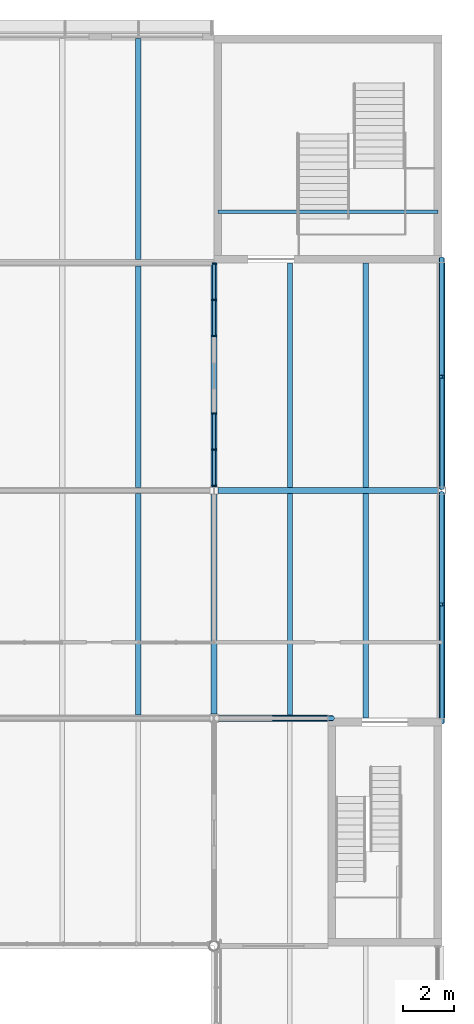
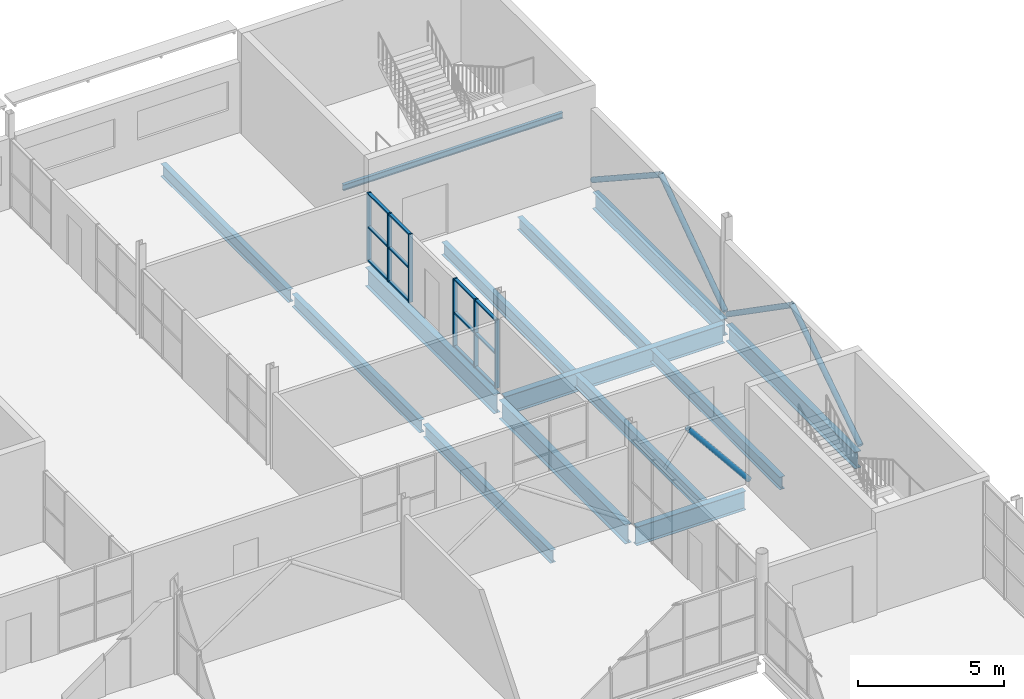
# One storey, part 24 of 57: 23 members, 14 beams, 2 elements without a shape of their own.
"""IFC4 building model written with IfcOpenShell, lengths in metres."""

from ifc_helpers import new_model, si_unit, direction, frame, origin, origin_2d, place, context, subcontext, project, spatial, rectangle, hollow_circle, i_section, extrude, material, layer, layer_set, material_profile, profile_set, type_object, element, aggregate, save


model = new_model("IFC4")

# Units and contexts
model_context = context("Model", 3, precision=1e-05, world=origin(), true_north=direction((0.0, 1.0)))
body_context = subcontext(model_context, "Body", "Model", "MODEL_VIEW")
ifc_project = project(units=[si_unit("LENGTHUNIT", "METRE"), si_unit("AREAUNIT", "SQUARE_METRE"), si_unit("VOLUMEUNIT", "CUBIC_METRE"), si_unit("PLANEANGLEUNIT", "RADIAN"), si_unit("MASSUNIT", "GRAM", prefix="KILO")], contexts=[model_context])

# Site, building, storey
site_placement = place(None, origin())
site = spatial("IfcSite", under=ifc_project, at=site_placement, CompositionType="ELEMENT")
building_placement = place(site_placement, origin())
building = spatial("IfcBuilding", under=site, at=building_placement, Name="Halyard Row Museum", CompositionType="ELEMENT")
storey_placement = place(building_placement, frame((0.0, 0.0, 5.0)))
storey = spatial("IfcBuildingStorey", under=building, at=storey_placement, Name="L01", CompositionType="ELEMENT", Elevation=5.0)

# Members
ifc_material_1 = material(Name="Steel Grade C350L0", Category="steel")
ifc_material_profile_1 = material_profile(ifc_material_1, hollow_circle(Radius=0.109619140625, WallThickness=0.00830078125, at=origin_2d()), Name="219.1x8.2CHS")
ifc_profile_set_1 = profile_set([ifc_material_profile_1], Name="Steel Grade C350L0")
member_type_1 = type_object("IfcMemberType", Name="Brace 219.1x8.2CHS", PredefinedType="BRACE", material=ifc_profile_set_1)
member_1_placement = place(storey_placement, frame((108.0, 35.830078125, 0.109619140625), z_axis=(0.0, 0.836884820609, 0.547379025023), x_axis=(-1.0, 0.0, 0.0)))
element("IfcMember", 1, at=member_1_placement, inside=storey, type_object=member_type_1, Name="Brace L01 X108 36-45 A", PredefinedType="BRACE", context=body_context, shape_type="SweptSolid", body=[
    extrude(hollow_circle(Radius=0.109619140625, WallThickness=0.00830078125, at=origin_2d()), origin(), (0.0, 0.0, 1.0), 5.580078125),
])
for number, where, z_axis, x_axis, name in (
    (2, (108.0, 44.89990234375, 0.109619140625), (0.0, -0.821311838972, 0.570479502844), (1.0, 0.0, 0.0), "Brace L01 X108 36-45 B"),
    (3, (108.0, 45.10009765625, 0.109619140625), (0.0, 0.821311838972, 0.570479502844), (-1.0, 0.0, 0.0), "Brace L01 X108 45-54 A"),
):
    element("IfcMember", number, at=place(storey_placement, frame(where, z_axis=z_axis, x_axis=x_axis)), inside=storey, type_object=member_type_1, Name=name, PredefinedType="BRACE", context=body_context, shape_type="SweptSolid", body=[
        extrude(hollow_circle(Radius=0.109619140625, WallThickness=0.00830078125, at=origin_2d()), origin(), (0.0, 0.0, 1.0), 5.357177734375),
    ])
member_2_placement = place(storey_placement, frame((108.0, 54.169921875, 0.109619140625), z_axis=(0.0, -0.836884820609, 0.547379025023), x_axis=(1.0, 0.0, 0.0)))
element("IfcMember", 4, at=member_2_placement, inside=storey, type_object=member_type_1, Name="Brace L01 X108 45-54 B", PredefinedType="BRACE", context=body_context, shape_type="SweptSolid", body=[
    extrude(hollow_circle(Radius=0.109619140625, WallThickness=0.00830078125, at=origin_2d()), origin(), (0.0, 0.0, 1.0), 5.580078125),
])
member_3_placement = place(storey_placement, frame((103.669921875, 36.0, 0.109619140625), z_axis=(-0.629702501473, 0.0, 0.776836378936), x_axis=(0.0, -1.0, 0.0)))
element("IfcMember", 5, at=member_3_placement, inside=storey, type_object=member_type_1, Name="Brace L01 Y36 99-103.5 B", PredefinedType="BRACE", context=body_context, shape_type="SweptSolid", body=[
    extrude(hollow_circle(Radius=0.109619140625, WallThickness=0.00830078125, at=origin_2d()), origin(), (0.0, 0.0, 1.0), 3.843017578125),
])

# Curtain wall, members
ifc_material_2 = material(Name="Fire-resisting laminated glazing", Category="glass")
ifc_layer = layer(ifc_material_2, 0.159912109375)
ifc_layer_set = layer_set([ifc_layer], Name="Fire-resisting laminated glazing")
curtain_wall_type = type_object("IfcCurtainWallType", Name="Curtain wall atrium screen 160 deep", PredefinedType="NOTDEFINED", material=ifc_layer_set)
curtain_wall_1_placement = place(storey_placement, origin())
curtain_wall_1 = element("IfcCurtainWall", 6, at=curtain_wall_1_placement, inside=storey, type_object=curtain_wall_type, Name="Curtain wall CW156", PredefinedType="NOTDEFINED")
ifc_material_3 = material(Name="Powder-coated aluminium section", Category="aluminium")
ifc_material_profile_2 = material_profile(ifc_material_3, rectangle(XDim=0.159912109375, YDim=0.06005859375, at=origin_2d()), Name="160x60 mullion")
ifc_profile_set_2 = profile_set([ifc_material_profile_2], Name="Powder-coated aluminium section")
member_type_2 = type_object("IfcMemberType", Name="Curtain wall mullion CM5 60 x 160", PredefinedType="MULLION", material=ifc_profile_set_2)
member_4_placement = place(storey_placement, frame((99.0, 45.18408203125, 0.0), z_axis=(0.0, 0.0, 1.0), x_axis=(-1.0, 0.0, 0.0)))
member_4 = element("IfcMember", 7, at=member_4_placement, type_object=member_type_2, Name="CW156 mullion 1", PredefinedType="MULLION", context=body_context, shape_type="SweptSolid", body=[
    extrude(rectangle(XDim=0.159912109375, YDim=0.06005859375, at=origin_2d()), origin(), (0.0, 0.0, 1.0), 2.85791015625),
])
member_5_placement = place(storey_placement, frame((99.0, 46.615478515625, 0.0), z_axis=(0.0, 0.0, 1.0), x_axis=(-1.0, 0.0, 0.0)))
member_5 = element("IfcMember", 8, at=member_5_placement, type_object=member_type_2, Name="CW156 mullion 2", PredefinedType="MULLION", context=body_context, shape_type="SweptSolid", body=[
    extrude(rectangle(XDim=0.159912109375, YDim=0.06005859375, at=origin_2d()), origin(), (0.0, 0.0, 1.0), 2.85791015625),
])
member_6_placement = place(storey_placement, frame((99.0, 48.047119140625, 0.0), z_axis=(0.0, 0.0, 1.0), x_axis=(-1.0, 0.0, 0.0)))
member_6 = element("IfcMember", 9, at=member_6_placement, type_object=member_type_2, Name="CW156 mullion 3", PredefinedType="MULLION", context=body_context, shape_type="SweptSolid", body=[
    extrude(rectangle(XDim=0.159912109375, YDim=0.06005859375, at=origin_2d()), origin(), (0.0, 0.0, 1.0), 2.85791015625),
])

curtain_wall_2_placement = place(storey_placement, origin())
curtain_wall_2 = element("IfcCurtainWall", 10, at=curtain_wall_2_placement, inside=storey, type_object=curtain_wall_type, Name="Curtain wall CW157", PredefinedType="NOTDEFINED")
member_7_placement = place(storey_placement, frame((99.0, 51.10693359375, 0.0), z_axis=(0.0, 0.0, 1.0), x_axis=(-1.0, 0.0, 0.0)))
member_7 = element("IfcMember", 11, at=member_7_placement, type_object=member_type_2, Name="CW157 mullion 1", PredefinedType="MULLION", context=body_context, shape_type="SweptSolid", body=[
    extrude(rectangle(XDim=0.159912109375, YDim=0.06005859375, at=origin_2d()), origin(), (0.0, 0.0, 1.0), 2.85791015625),
])
member_8_placement = place(storey_placement, frame((99.0, 52.53857421875, 0.0), z_axis=(0.0, 0.0, 1.0), x_axis=(-1.0, 0.0, 0.0)))
member_8 = element("IfcMember", 12, at=member_8_placement, type_object=member_type_2, Name="CW157 mullion 2", PredefinedType="MULLION", context=body_context, shape_type="SweptSolid", body=[
    extrude(rectangle(XDim=0.159912109375, YDim=0.06005859375, at=origin_2d()), origin(), (0.0, 0.0, 1.0), 2.85791015625),
])
member_9_placement = place(storey_placement, frame((99.0, 53.969970703125, 0.0), z_axis=(0.0, 0.0, 1.0), x_axis=(-1.0, 0.0, 0.0)))
member_9 = element("IfcMember", 13, at=member_9_placement, type_object=member_type_2, Name="CW157 mullion 3", PredefinedType="MULLION", context=body_context, shape_type="SweptSolid", body=[
    extrude(rectangle(XDim=0.159912109375, YDim=0.06005859375, at=origin_2d()), origin(), (0.0, 0.0, 1.0), 2.85791015625),
])

# Member
ifc_material_4 = material(Name="Powder-coated aluminium section", Category="aluminium")
ifc_material_profile_3 = material_profile(ifc_material_4, rectangle(XDim=0.1201171875, YDim=0.06005859375, at=origin_2d()), Name="120x60 transom")
ifc_profile_set_3 = profile_set([ifc_material_profile_3], Name="Powder-coated aluminium section")
member_type_3 = type_object("IfcMemberType", Name="Curtain wall transom CT5 60 x 120", PredefinedType="USERDEFINED", material=ifc_profile_set_3)
member_10_placement = place(storey_placement, frame((99.0, 45.214111328125, 0.030029296875), z_axis=(0.0, 1.0, 0.0), x_axis=(-1.0, 0.0, 0.0)))
member_10 = element("IfcMember", 14, at=member_10_placement, type_object=member_type_3, Name="CW156 transom 1.1", ObjectType="TRANSOM", PredefinedType="USERDEFINED", context=body_context, shape_type="SweptSolid", body=[
    extrude(rectangle(XDim=0.1201171875, YDim=0.06005859375, at=origin_2d()), origin(), (0.0, 0.0, 1.0), 1.371337890625),
])

member_11_placement = place(storey_placement, frame((99.0, 45.214111328125, 1.428955078125), z_axis=(0.0, 1.0, 0.0), x_axis=(-1.0, 0.0, 0.0)))
member_11 = element("IfcMember", 15, at=member_11_placement, type_object=member_type_3, Name="CW156 transom 1.2", ObjectType="TRANSOM", PredefinedType="USERDEFINED", context=body_context, shape_type="SweptSolid", body=[
    extrude(rectangle(XDim=0.1201171875, YDim=0.06005859375, at=origin_2d()), origin(), (0.0, 0.0, 1.0), 1.371337890625),
])

member_12_placement = place(storey_placement, frame((99.0, 45.214111328125, 2.827880859375), z_axis=(0.0, 1.0, 0.0), x_axis=(-1.0, 0.0, 0.0)))
member_12 = element("IfcMember", 16, at=member_12_placement, type_object=member_type_3, Name="CW156 transom 1.3", ObjectType="TRANSOM", PredefinedType="USERDEFINED", context=body_context, shape_type="SweptSolid", body=[
    extrude(rectangle(XDim=0.1201171875, YDim=0.06005859375, at=origin_2d()), origin(), (0.0, 0.0, 1.0), 1.371337890625),
])

member_13_placement = place(storey_placement, frame((99.0, 46.6455078125, 0.030029296875), z_axis=(0.0, 1.0, 0.0), x_axis=(-1.0, 0.0, 0.0)))
member_13 = element("IfcMember", 17, at=member_13_placement, type_object=member_type_3, Name="CW156 transom 2.1", ObjectType="TRANSOM", PredefinedType="USERDEFINED", context=body_context, shape_type="SweptSolid", body=[
    extrude(rectangle(XDim=0.1201171875, YDim=0.06005859375, at=origin_2d()), origin(), (0.0, 0.0, 1.0), 1.37158203125),
])

member_14_placement = place(storey_placement, frame((99.0, 46.6455078125, 1.428955078125), z_axis=(0.0, 1.0, 0.0), x_axis=(-1.0, 0.0, 0.0)))
member_14 = element("IfcMember", 18, at=member_14_placement, type_object=member_type_3, Name="CW156 transom 2.2", ObjectType="TRANSOM", PredefinedType="USERDEFINED", context=body_context, shape_type="SweptSolid", body=[
    extrude(rectangle(XDim=0.1201171875, YDim=0.06005859375, at=origin_2d()), origin(), (0.0, 0.0, 1.0), 1.37158203125),
])

member_15_placement = place(storey_placement, frame((99.0, 46.6455078125, 2.827880859375), z_axis=(0.0, 1.0, 0.0), x_axis=(-1.0, 0.0, 0.0)))
member_15 = element("IfcMember", 19, at=member_15_placement, type_object=member_type_3, Name="CW156 transom 2.3", ObjectType="TRANSOM", PredefinedType="USERDEFINED", context=body_context, shape_type="SweptSolid", body=[
    extrude(rectangle(XDim=0.1201171875, YDim=0.06005859375, at=origin_2d()), origin(), (0.0, 0.0, 1.0), 1.37158203125),
])

aggregate(curtain_wall_1, [member_4, member_5, member_6, member_10, member_11, member_12, member_13, member_14, member_15])

member_16_placement = place(storey_placement, frame((99.0, 51.136962890625, 0.030029296875), z_axis=(0.0, 1.0, 0.0), x_axis=(-1.0, 0.0, 0.0)))
member_16 = element("IfcMember", 20, at=member_16_placement, type_object=member_type_3, Name="CW157 transom 1.1", ObjectType="TRANSOM", PredefinedType="USERDEFINED", context=body_context, shape_type="SweptSolid", body=[
    extrude(rectangle(XDim=0.1201171875, YDim=0.06005859375, at=origin_2d()), origin(), (0.0, 0.0, 1.0), 1.37158203125),
])

member_17_placement = place(storey_placement, frame((99.0, 51.136962890625, 1.428955078125), z_axis=(0.0, 1.0, 0.0), x_axis=(-1.0, 0.0, 0.0)))
member_17 = element("IfcMember", 21, at=member_17_placement, type_object=member_type_3, Name="CW157 transom 1.2", ObjectType="TRANSOM", PredefinedType="USERDEFINED", context=body_context, shape_type="SweptSolid", body=[
    extrude(rectangle(XDim=0.1201171875, YDim=0.06005859375, at=origin_2d()), origin(), (0.0, 0.0, 1.0), 1.37158203125),
])

member_18_placement = place(storey_placement, frame((99.0, 51.136962890625, 2.827880859375), z_axis=(0.0, 1.0, 0.0), x_axis=(-1.0, 0.0, 0.0)))
member_18 = element("IfcMember", 22, at=member_18_placement, type_object=member_type_3, Name="CW157 transom 1.3", ObjectType="TRANSOM", PredefinedType="USERDEFINED", context=body_context, shape_type="SweptSolid", body=[
    extrude(rectangle(XDim=0.1201171875, YDim=0.06005859375, at=origin_2d()), origin(), (0.0, 0.0, 1.0), 1.37158203125),
])

member_19_placement = place(storey_placement, frame((99.0, 52.568603515625, 0.030029296875), z_axis=(0.0, 1.0, 0.0), x_axis=(-1.0, 0.0, 0.0)))
member_19 = element("IfcMember", 23, at=member_19_placement, type_object=member_type_3, Name="CW157 transom 2.1", ObjectType="TRANSOM", PredefinedType="USERDEFINED", context=body_context, shape_type="SweptSolid", body=[
    extrude(rectangle(XDim=0.1201171875, YDim=0.06005859375, at=origin_2d()), origin(), (0.0, 0.0, 1.0), 1.371337890625),
])

member_20_placement = place(storey_placement, frame((99.0, 52.568603515625, 1.428955078125), z_axis=(0.0, 1.0, 0.0), x_axis=(-1.0, 0.0, 0.0)))
member_20 = element("IfcMember", 24, at=member_20_placement, type_object=member_type_3, Name="CW157 transom 2.2", ObjectType="TRANSOM", PredefinedType="USERDEFINED", context=body_context, shape_type="SweptSolid", body=[
    extrude(rectangle(XDim=0.1201171875, YDim=0.06005859375, at=origin_2d()), origin(), (0.0, 0.0, 1.0), 1.371337890625),
])

member_21_placement = place(storey_placement, frame((99.0, 52.568603515625, 2.827880859375), z_axis=(0.0, 1.0, 0.0), x_axis=(-1.0, 0.0, 0.0)))
member_21 = element("IfcMember", 25, at=member_21_placement, type_object=member_type_3, Name="CW157 transom 2.3", ObjectType="TRANSOM", PredefinedType="USERDEFINED", context=body_context, shape_type="SweptSolid", body=[
    extrude(rectangle(XDim=0.1201171875, YDim=0.06005859375, at=origin_2d()), origin(), (0.0, 0.0, 1.0), 1.371337890625),
])

aggregate(curtain_wall_2, [member_7, member_8, member_9, member_16, member_17, member_18, member_19, member_20, member_21])

# Beams
ifc_material_5 = material(Name="Steel Grade 300", Category="steel")
ifc_material_profile_4 = material_profile(ifc_material_5, i_section(OverallWidth=0.25, OverallDepth=0.699951171875, WebThickness=0.010009765625, FlangeThickness=0.02001953125, at=origin_2d()), Name="700WB130")
ifc_profile_set_4 = profile_set([ifc_material_profile_4], Name="Steel Grade 300")
beam_type_1 = type_object("IfcBeamType", Name="Edge beam 700WB130 (lowered 85)", PredefinedType="BEAM", material=ifc_profile_set_4)
for number, where, z_axis, x_axis, name in (
    (26, (108.0, 36.0, -0.60009765625), (0.0, 1.0, 0.0), (-1.0, 0.0, 0.0), "Beam L01-083"),
    (27, (108.0, 45.14990234375, -0.60009765625), (0.0, 1.0, 0.0), (-1.0, 0.0, 0.0), "Beam L01-084"),
):
    element("IfcBeam", number, at=place(storey_placement, frame(where, z_axis=z_axis, x_axis=x_axis)), inside=storey, type_object=beam_type_1, Name=name, PredefinedType="BEAM", context=body_context, shape_type="SweptSolid", body=[
        extrude(i_section(OverallWidth=0.25, OverallDepth=0.699951171875, WebThickness=0.010009765625, FlangeThickness=0.02001953125, at=origin_2d()), origin(), (0.0, 0.0, 1.0), 8.85009765625),
    ])
ifc_material_6 = material(Name="Steel Grade 300", Category="steel")
ifc_material_profile_5 = material_profile(ifc_material_6, i_section(OverallWidth=0.25, OverallDepth=0.7919921875, WebThickness=0.010009765625, FlangeThickness=0.01611328125, at=origin_2d()), Name="800WB122")
ifc_profile_set_5 = profile_set([ifc_material_profile_5], Name="Steel Grade 300")
beam_type_2 = type_object("IfcBeamType", Name="Girder beam 800WB122 (lowered 85)", PredefinedType="BEAM", material=ifc_profile_set_5)
beam_1_placement = place(storey_placement, frame((99.175048828125, 36.0, -0.64599609375), z_axis=(1.0, 0.0, 0.0), x_axis=(0.0, 1.0, 0.0)))
element("IfcBeam", 28, at=beam_1_placement, inside=storey, type_object=beam_type_2, Name="Beam L01-034", PredefinedType="BEAM", context=body_context, shape_type="SweptSolid", body=[
    extrude(i_section(OverallWidth=0.25, OverallDepth=0.7919921875, WebThickness=0.010009765625, FlangeThickness=0.01611328125, at=origin_2d()), origin(), (0.0, 0.0, 1.0), 4.324951171875),
])
beam_2_placement = place(storey_placement, frame((99.154541015625, 45.0, -0.64599609375), z_axis=(1.0, 0.0, 0.0), x_axis=(0.0, 1.0, 0.0)))
element("IfcBeam", 29, at=beam_2_placement, inside=storey, type_object=beam_type_2, Name="Beam L01-040", PredefinedType="BEAM", context=body_context, shape_type="SweptSolid", body=[
    extrude(i_section(OverallWidth=0.25, OverallDepth=0.7919921875, WebThickness=0.010009765625, FlangeThickness=0.01611328125, at=origin_2d()), origin(), (0.0, 0.0, 1.0), 8.695556640625),
])
beam_3_placement = place(storey_placement, frame((99.0, 36.16943359375, -0.64599609375), z_axis=(0.0, 1.0, 0.0), x_axis=(-1.0, 0.0, 0.0)))
element("IfcBeam", 30, at=beam_3_placement, inside=storey, type_object=beam_type_2, Name="Beam L01-079", PredefinedType="BEAM", context=body_context, shape_type="SweptSolid", body=[
    extrude(i_section(OverallWidth=0.25, OverallDepth=0.7919921875, WebThickness=0.010009765625, FlangeThickness=0.01611328125, at=origin_2d()), origin(), (0.0, 0.0, 1.0), 8.670166015625),
])
beam_4_placement = place(storey_placement, frame((99.0, 45.160400390625, -0.64599609375), z_axis=(0.0, 1.0, 0.0), x_axis=(-1.0, 0.0, 0.0)))
element("IfcBeam", 31, at=beam_4_placement, inside=storey, type_object=beam_type_2, Name="Beam L01-080", PredefinedType="BEAM", context=body_context, shape_type="SweptSolid", body=[
    extrude(i_section(OverallWidth=0.25, OverallDepth=0.7919921875, WebThickness=0.010009765625, FlangeThickness=0.01611328125, at=origin_2d()), origin(), (0.0, 0.0, 1.0), 8.839599609375),
])
ifc_material_7 = material(Name="Steel Grade 300", Category="steel")
ifc_material_profile_6 = material_profile(ifc_material_7, i_section(OverallWidth=0.1240234375, OverallDepth=0.248046875, WebThickness=0.0048828125, FlangeThickness=0.008056640625, FilletRadius=0.011962890625, at=origin_2d()), Name="250UB25.7")
ifc_profile_set_6 = profile_set([ifc_material_profile_6], Name="Steel Grade 300")
beam_type_3 = type_object("IfcBeamType", Name="Landing trimmer 250UB25.7", PredefinedType="BEAM", material=ifc_profile_set_6)
beam_5_placement = place(storey_placement, frame((107.85009765625, 56.02001953125, 1.77587890625), z_axis=(-1.0, 0.0, 0.0), x_axis=(0.0, -1.0, 0.0)))
element("IfcBeam", 32, at=beam_5_placement, inside=storey, type_object=beam_type_3, Name="Landing trimmer K5B L01 1", PredefinedType="BEAM", context=body_context, shape_type="SweptSolid", body=[
    extrude(i_section(OverallWidth=0.1240234375, OverallDepth=0.248046875, WebThickness=0.0048828125, FlangeThickness=0.008056640625, FilletRadius=0.011962890625, at=origin_2d()), origin(), (0.0, 0.0, 1.0), 8.7001953125),
])
ifc_material_8 = material(Name="Steel Grade 300", Category="steel")
ifc_material_profile_7 = material_profile(ifc_material_8, i_section(OverallWidth=0.208984375, OverallDepth=0.5283203125, WebThickness=0.009521484375, FlangeThickness=0.01318359375, FilletRadius=0.013916015625, at=origin_2d()), Name="530UB82.0")
ifc_profile_set_7 = profile_set([ifc_material_profile_7], Name="Steel Grade 300")
beam_type_4 = type_object("IfcBeamType", Name="Secondary beam 530UB82.0 (lowered 85)", PredefinedType="BEAM", material=ifc_profile_set_7)
beam_6_placement = place(storey_placement, frame((105.0, 36.0, -0.51416015625), z_axis=(0.0, 1.0, 0.0), x_axis=(-1.0, 0.0, 0.0)))
element("IfcBeam", 33, at=beam_6_placement, inside=storey, type_object=beam_type_4, Name="Beam L01-126", PredefinedType="BEAM", context=body_context, shape_type="SweptSolid", body=[
    extrude(i_section(OverallWidth=0.208984375, OverallDepth=0.5283203125, WebThickness=0.009521484375, FlangeThickness=0.01318359375, FilletRadius=0.013916015625, at=origin_2d()), origin(), (0.0, 0.0, 1.0), 8.875),
])
for number, where, z_axis, x_axis, name in (
    (34, (96.0, 36.125, -0.51416015625), (0.0, 1.0, 0.0), (-1.0, 0.0, 0.0), "Beam L01-141"),
    (35, (102.0, 36.125, -0.51416015625), (0.0, 1.0, 0.0), (-1.0, 0.0, 0.0), "Beam L01-142"),
    (36, (96.0, 45.125, -0.51416015625), (0.0, 1.0, 0.0), (-1.0, 0.0, 0.0), "Beam L01-146"),
):
    element("IfcBeam", number, at=place(storey_placement, frame(where, z_axis=z_axis, x_axis=x_axis)), inside=storey, type_object=beam_type_4, Name=name, PredefinedType="BEAM", context=body_context, shape_type="SweptSolid", body=[
        extrude(i_section(OverallWidth=0.208984375, OverallDepth=0.5283203125, WebThickness=0.009521484375, FlangeThickness=0.01318359375, FilletRadius=0.013916015625, at=origin_2d()), origin(), (0.0, 0.0, 1.0), 8.75),
    ])
for number, where, z_axis, x_axis, name in (
    (37, (102.0, 45.125, -0.51416015625), (0.0, 1.0, 0.0), (-1.0, 0.0, 0.0), "Beam L01-147"),
    (38, (105.0, 45.125, -0.51416015625), (0.0, 1.0, 0.0), (-1.0, 0.0, 0.0), "Beam L01-148"),
):
    element("IfcBeam", number, at=place(storey_placement, frame(where, z_axis=z_axis, x_axis=x_axis)), inside=storey, type_object=beam_type_4, Name=name, PredefinedType="BEAM", context=body_context, shape_type="SweptSolid", body=[
        extrude(i_section(OverallWidth=0.208984375, OverallDepth=0.5283203125, WebThickness=0.009521484375, FlangeThickness=0.01318359375, FilletRadius=0.013916015625, at=origin_2d()), origin(), (0.0, 0.0, 1.0), 8.875),
    ])
beam_7_placement = place(storey_placement, frame((96.0, 54.125, -0.51416015625), z_axis=(0.0, 1.0, 0.0), x_axis=(-1.0, 0.0, 0.0)))
element("IfcBeam", 39, at=beam_7_placement, inside=storey, type_object=beam_type_4, Name="Beam L01-152", PredefinedType="BEAM", context=body_context, shape_type="SweptSolid", body=[
    extrude(i_section(OverallWidth=0.208984375, OverallDepth=0.5283203125, WebThickness=0.009521484375, FlangeThickness=0.01318359375, FilletRadius=0.013916015625, at=origin_2d()), origin(), (0.0, 0.0, 1.0), 8.75),
])

save(model, "model.ifc")
